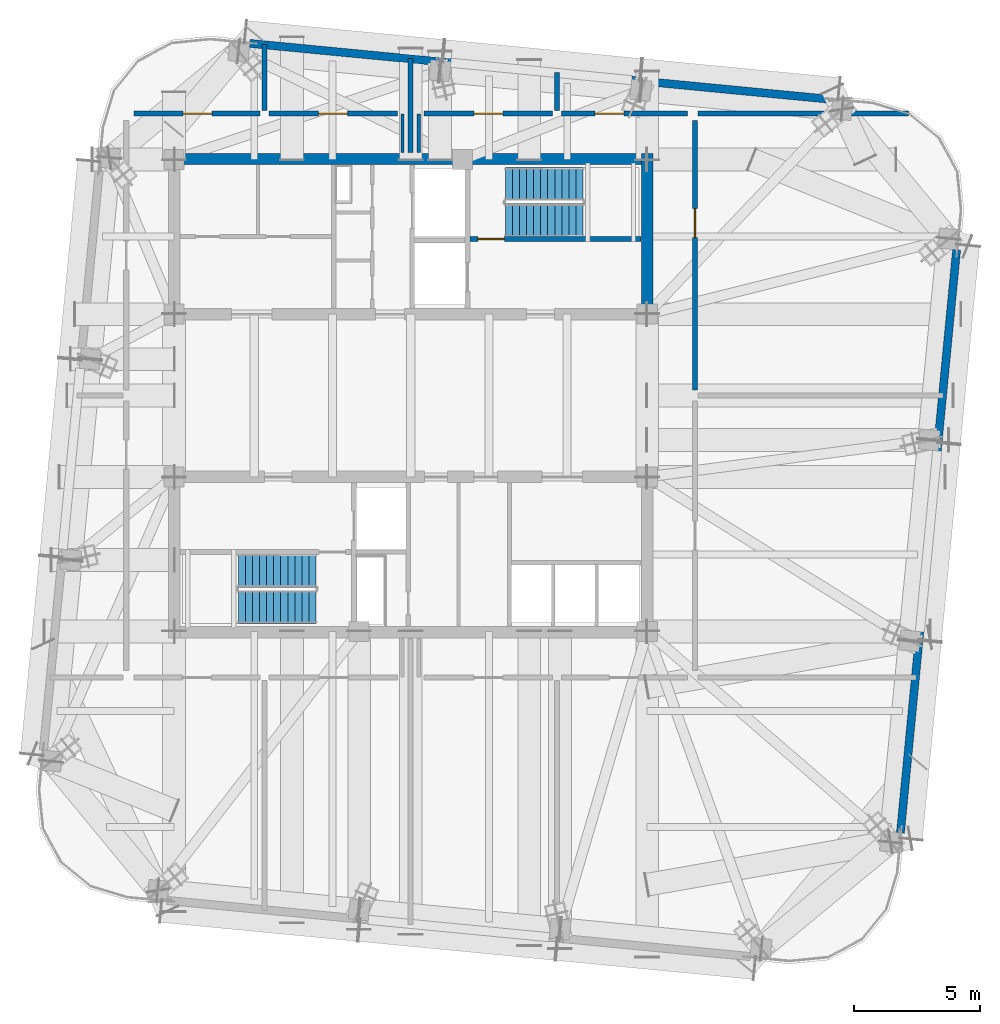
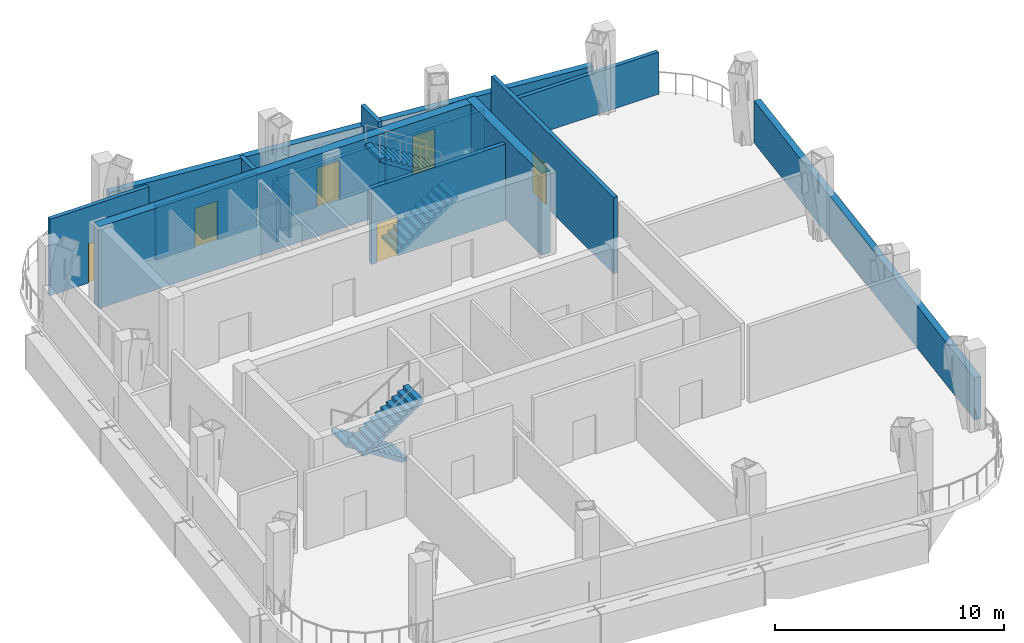
# One storey, part 6 of 9: 16 walls, 6 doors, 4 stair flights, 6 openings, 2 elements without a shape of their own.
"""IFC4 building model written with IfcOpenShell, lengths in metres."""

import ifcopenshell
import ifcopenshell.guid

model = None  # the IFC model being written
_history = None  # IfcOwnerHistory: only IFC2X3 demands one
_inside = {}  # id of a spatial element -> (the spatial element, [elements in it])
_under = {}  # id of a project, library or spatial element -> (it, [spatial elements below it])
_declared = {}  # id of a project -> (the project, [libraries it declares])
_typed = {}  # id of a type object -> (the type object, [elements of that type])
_made_of = {}  # id of a material, layer set ... -> (it, [elements and type objects made of it])


def new_model(schema):
    """Start an empty IFC model of exactly this schema.

    Asked for "IFC4X3", IfcOpenShell would pick the latest addendum, in which some entities
    have other attributes; the version numbers below select the first issue.
    IFC2X3 requires an IfcOwnerHistory on every rooted entity: one is made here for all.
    """
    global model, _history
    if schema == "IFC4X3":
        model = ifcopenshell.file(schema_version=(4, 3, 0, 0))
    else:
        model = ifcopenshell.file(schema=schema)
    _inside.clear()
    _under.clear()
    _declared.clear()
    _typed.clear()
    _made_of.clear()
    _history = None
    if model.schema == "IFC2X3":
        org = make("IfcOrganization", Name="unknown")
        user = make(
            "IfcPersonAndOrganization",
            ThePerson=make("IfcPerson", FamilyName="unknown"),
            TheOrganization=org,
        )
        app = make(
            "IfcApplication",
            ApplicationDeveloper=org,
            Version="unknown",
            ApplicationFullName="unknown",
            ApplicationIdentifier="unknown",
        )
        _history = make(
            "IfcOwnerHistory",
            OwningUser=user,
            OwningApplication=app,
            ChangeAction="ADDED",
            CreationDate=0,
        )
    return model


def make(cls, **values):
    """One entity of the class cls with the attributes given. An attribute that is None is left unset."""
    return model.create_entity(
        cls, **{name: value for name, value in values.items() if value is not None}
    )


def rooted(cls, **values):
    """An entity with a GlobalId (a new one), such as an element, a storey or a relation."""
    return make(cls, GlobalId=ifcopenshell.guid.new(), OwnerHistory=_history, **values)


def si_unit(unit_type, name, prefix=None):
    """IfcSIUnit, for example si_unit("LENGTHUNIT", "METRE", prefix="MILLI")."""
    return make("IfcSIUnit", UnitType=unit_type, Prefix=prefix, Name=name)


def assignment(units):
    """IfcUnitAssignment: the units of a project."""
    return None if units is None else make("IfcUnitAssignment", Units=units)


def point(xyz):
    """IfcCartesianPoint."""
    return None if xyz is None else make("IfcCartesianPoint", Coordinates=xyz)


def direction(xyz):
    """IfcDirection."""
    return None if xyz is None else make("IfcDirection", DirectionRatios=xyz)


def frame(location, z_axis=None, x_axis=None):
    """IfcAxis2Placement3D, a coordinate frame: its origin and axes. An axis left out is left unset."""
    return make(
        "IfcAxis2Placement3D",
        Location=point(location),
        Axis=direction(z_axis),
        RefDirection=direction(x_axis),
    )


def frame_2d(location, x_axis=None):
    """IfcAxis2Placement2D, a coordinate frame in the plane: its origin and x axis."""
    return make(
        "IfcAxis2Placement2D", Location=point(location), RefDirection=direction(x_axis)
    )


def origin():
    """The frame at (0, 0, 0) with its axes left unset."""
    return frame((0.0, 0.0, 0.0))


def place(relative_to, where):
    """IfcLocalPlacement: puts the frame where relative to a parent placement (None: the world)."""
    return make(
        "IfcLocalPlacement", PlacementRelTo=relative_to, RelativePlacement=where
    )


def context(
    kind, dimensions, precision=None, world=None, true_north=None, identifier=None
):
    """IfcGeometricRepresentationContext, for example the 3D "Model" context."""
    return make(
        "IfcGeometricRepresentationContext",
        ContextIdentifier=identifier,
        ContextType=kind,
        CoordinateSpaceDimension=dimensions,
        Precision=precision,
        WorldCoordinateSystem=world,
        TrueNorth=true_north,
    )


def subcontext(parent, identifier, kind, view, scale=None):
    """IfcGeometricRepresentationSubContext, for example "Body" below "Model"."""
    return make(
        "IfcGeometricRepresentationSubContext",
        ContextIdentifier=identifier,
        ContextType=kind,
        ParentContext=parent,
        TargetScale=scale,
        TargetView=view,
    )


def project(units=None, contexts=None):
    """IfcProject with its units and contexts."""
    return rooted(
        "IfcProject",
        Name="project",
        RepresentationContexts=contexts,
        UnitsInContext=assignment(units),
    )


def spatial(cls, under=None, at=None, **own):
    """A site, building, storey or space (cls), placed at a placement, below another one or the project."""
    s = rooted(cls, ObjectPlacement=at, **own)
    if under is not None:
        _under.setdefault(under.id(), (under, []))[1].append(s)
    return s


def polyline(points):
    """IfcPolyline through the points."""
    return make("IfcPolyline", Points=[point(p) for p in points])


def profile(cls, at=None, kind="AREA", **sizes):
    """A parametric profile (cls). Its sizes go by their IFC names, for example OverallWidth=200.0."""
    return make(cls, ProfileType=kind, Position=at, **sizes)


def rectangle(**sizes):
    """IfcRectangleProfileDef."""
    return profile("IfcRectangleProfileDef", **sizes)


def outline(outer, holes=None, kind="AREA"):
    """IfcArbitraryClosedProfileDef: a profile drawn as a closed curve; with holes, ...WithVoids."""
    if holes is None:
        return make("IfcArbitraryClosedProfileDef", ProfileType=kind, OuterCurve=outer)
    return make(
        "IfcArbitraryProfileDefWithVoids",
        ProfileType=kind,
        OuterCurve=outer,
        InnerCurves=holes,
    )


def extrude(swept, where, along, depth):
    """IfcExtrudedAreaSolid: the profile swept, set in the frame where, extruded along a direction by depth."""
    return make(
        "IfcExtrudedAreaSolid",
        SweptArea=swept,
        Position=where,
        ExtrudedDirection=direction(along),
        Depth=depth,
    )


def shape(context_of_items, identifier, shape_type, items):
    """IfcShapeRepresentation: the items that make up one representation, for example the "Body"."""
    return make(
        "IfcShapeRepresentation",
        ContextOfItems=context_of_items,
        RepresentationIdentifier=identifier,
        RepresentationType=shape_type,
        Items=items,
    )


def material(Name=None, Category=None):
    """IfcMaterial."""
    return make("IfcMaterial", Name=Name, Category=Category)


def layer(
    of_material, thickness, ventilated=None, Name=None, Category=None, Priority=None
):
    """IfcMaterialLayer: one layer of a wall or slab, of a material (None: an air gap)."""
    return make(
        "IfcMaterialLayer",
        Material=of_material,
        LayerThickness=thickness,
        IsVentilated=ventilated,
        Name=Name,
        Category=Category,
        Priority=Priority,
    )


def layer_set(layers, Name=None):
    """IfcMaterialLayerSet."""
    return make("IfcMaterialLayerSet", MaterialLayers=layers, LayerSetName=Name)


def made_of(thing, what):
    """Note that an element or type object is made of a material, layer set ...; save() writes the relation."""
    if what is not None:
        _made_of.setdefault(what.id(), (what, []))[1].append(thing)
    return thing


def type_object(cls, material=None, **own):
    """A type object (cls), such as IfcWallType, which elements share."""
    return made_of(rooted(cls, **own), material)


def element(
    cls,
    number,
    at=None,
    inside=None,
    cuts=None,
    type_object=None,
    material=None,
    context=None,
    identifier="Body",
    shape_type=None,
    held_by="IfcProductDefinitionShape",
    body=None,
    shapes=None,
    **own,
):
    """One element of the class cls, such as IfcWall. Its Tag is "e" and its number.

    at: its placement. inside: the storey or other place that contains it. cuts: it is an
    opening in that element (IfcRelVoidsElement). A single representation is given by context,
    identifier, shape_type and body (its items); several are given by shapes. held_by: the class
    of the entity that holds the representations. save() writes the other relations.
    """
    e = rooted(cls, Tag="e%d" % number, ObjectPlacement=at, **own)
    if body is not None:
        shapes = [shape(context, identifier, shape_type, body)]
    if shapes is not None:
        e.Representation = make(held_by, Representations=shapes)
    if inside is not None:
        _inside.setdefault(inside.id(), (inside, []))[1].append(e)
    if cuts is not None:
        rooted(
            "IfcRelVoidsElement", RelatingBuildingElement=cuts, RelatedOpeningElement=e
        )
    if type_object is not None:
        _typed.setdefault(type_object.id(), (type_object, []))[1].append(e)
    return made_of(e, material)


def fill(opening, filler):
    """IfcRelFillsElement: the door or window that sits in an opening."""
    return rooted(
        "IfcRelFillsElement",
        RelatingOpeningElement=opening,
        RelatedBuildingElement=filler,
    )


def aggregate(whole, parts):
    """IfcRelAggregates: a whole, such as a stair, and the parts it consists of."""
    return rooted("IfcRelAggregates", RelatingObject=whole, RelatedObjects=parts)


def save(model, path):
    """Write the relations noted so far, then the file.

    IfcRelAggregates (storeys below a building ...), IfcRelContainedInSpatialStructure (elements
    in a storey), IfcRelDefinesByType, IfcRelAssociatesMaterial and IfcRelDeclares: one each for
    every whole, place, type object, material and project.
    """
    for whole, parts in _under.values():
        aggregate(whole, parts)
    for where, things in _inside.values():
        rooted(
            "IfcRelContainedInSpatialStructure",
            RelatedElements=things,
            RelatingStructure=where,
        )
    for kind, things in _typed.values():
        rooted("IfcRelDefinesByType", RelatedObjects=things, RelatingType=kind)
    for what, things in _made_of.values():
        rooted("IfcRelAssociatesMaterial", RelatedObjects=things, RelatingMaterial=what)
    for by, libraries in _declared.values():
        rooted("IfcRelDeclares", RelatingContext=by, RelatedDefinitions=libraries)
    model.write(path)


model = new_model("IFC4")

# Units and contexts
model_context = context("Model", 3, precision=1e-05, world=origin(), true_north=direction((0.0, 1.0)))
body_context = subcontext(model_context, "Body", "Model", "MODEL_VIEW")
ifc_project = project(units=[si_unit("LENGTHUNIT", "METRE"), si_unit("AREAUNIT", "SQUARE_METRE"), si_unit("VOLUMEUNIT", "CUBIC_METRE"), si_unit("PLANEANGLEUNIT", "RADIAN"), si_unit("MASSUNIT", "GRAM", prefix="KILO")], contexts=[model_context])

# Site, building, storey
site_placement = place(None, origin())
site = spatial("IfcSite", under=ifc_project, at=site_placement, CompositionType="ELEMENT")
building_placement = place(site_placement, origin())
building = spatial("IfcBuilding", under=site, at=building_placement, Name="Qhalaya Broadcast Tower", CompositionType="ELEMENT")
storey_placement = place(building_placement, frame((0.0, 0.0, 284.89990234375)))
storey = spatial("IfcBuildingStorey", under=building, at=storey_placement, Name="L84", CompositionType="ELEMENT", Elevation=284.89990234375)

# Wall
ifc_material_1 = material(Name="Gypsum Acoustic Partition")
ifc_layer_1 = layer(ifc_material_1, 0.199951171875, Name="Gypsum Acoustic Partition")
ifc_layer_set_1 = layer_set([ifc_layer_1], Name="Gypsum Acoustic Partition")
wall_type_1 = type_object("IfcWallType", Name="Firefighting Lobby & Stair Enclosure Wall 200", PredefinedType="PARTITIONING", material=ifc_layer_set_1)
wall_1_placement = place(storey_placement, frame((0.0, 10.239990234375, 0.0), z_axis=(0.0, 0.0, 1.0), x_axis=(0.0, 1.0, 0.0)))
element("IfcWall", 1, at=wall_1_placement, inside=storey, type_object=wall_type_1, Name="L84 Partition Wall W-OBN", PredefinedType="PARTITIONING", context=body_context, shape_type="SweptSolid", body=[
    extrude(rectangle(XDim=3.719970703125, YDim=0.199951171875, at=frame_2d((1.85986328125, 0.0))), origin(), (0.0, 0.0, 1.0), 2.25),
])

# Wall, opening, door
wall_2_placement = place(storey_placement, frame((-5.97998046875, 11.77001953125, 0.0), z_axis=(0.0, 0.0, 1.0), x_axis=(-1.0, 0.0, 0.0)))
wall_2 = element("IfcWall", 2, at=wall_2_placement, inside=storey, type_object=wall_type_1, Name="L84 Partition Wall W-PCN0", PredefinedType="PARTITIONING", context=body_context, shape_type="SweptSolid", body=[
    extrude(rectangle(XDim=4.989990234375, YDim=0.199951171875, at=frame_2d((2.4951171875, 0.0))), origin(), (0.0, 0.0, 1.0), 4.070068359375),
])
opening_1_placement = place(wall_2_placement, frame((1.889892578125, 0.0, 0.0)))
opening_1 = element("IfcOpeningElement", 3, at=opening_1_placement, cuts=wall_2, Name="Opening D05", PredefinedType="OPENING", context=body_context, shape_type="SweptSolid", body=[
    extrude(rectangle(XDim=1.14990234375, YDim=2.10009765625, at=frame_2d((0.574951171875, 1.050048828125))), frame((0.0, 0.112060546875, 0.0), z_axis=(0.0, -1.0, 0.0), x_axis=(1.0, 0.0, 0.0)), (0.0, 0.0, 1.0), 0.223876953125),
])
ifc_material_2 = material(Name="Fire-Rated Steel Door", Category="steel")
door_type_1 = type_object("IfcDoorType", Name="Refuge & Plant Room Fire Door D05", OperationType="NOTDEFINED", PredefinedType="DOOR", material=ifc_material_2)
door_1_placement = place(opening_1_placement, origin())
door_1 = element("IfcDoor", 4, at=door_1_placement, inside=storey, type_object=door_type_1, Name="L84 Door D-PCN0", OperationType="SINGLE_SWING_LEFT", OverallHeight=2.10009765625, OverallWidth=1.14990234375, PredefinedType="DOOR", context=body_context, shape_type="SweptSolid", body=[
    extrude(rectangle(XDim=1.14990234375, YDim=2.10009765625, at=frame_2d((0.574951171875, 1.050048828125))), frame((0.0, 0.02490234375, 0.0), z_axis=(0.0, -1.0, 0.0), x_axis=(1.0, 0.0, 0.0)), (0.0, 0.0, 1.0), 0.050048828125),
])
fill(opening_1, door_1)

# Wall
wall_3_placement = place(storey_placement, frame((-5.800048828125, 11.889892578125, 0.0), z_axis=(0.0, 0.0, 1.0), x_axis=(0.0, 1.0, 0.0)))
element("IfcWall", 5, at=wall_3_placement, inside=storey, type_object=wall_type_1, Name="L84 Partition Wall W-PDN1", PredefinedType="PARTITIONING", context=body_context, shape_type="SweptSolid", body=[
    extrude(rectangle(XDim=2.62841796875, YDim=0.199951171875, at=frame_2d((1.314208984375, 0.0))), origin(), (0.0, 0.0, 1.0), 2.25),
])

# Wall, opening, door
wall_4_placement = place(storey_placement, frame((-0.530029296875, 11.77001953125, 0.0), z_axis=(0.0, 0.0, 1.0), x_axis=(-1.0, 0.0, 0.0)))
wall_4 = element("IfcWall", 6, at=wall_4_placement, inside=storey, type_object=wall_type_1, Name="L84 Partition Wall W-PCN1", PredefinedType="PARTITIONING", context=body_context, shape_type="SweptSolid", body=[
    extrude(rectangle(XDim=5.090087890625, YDim=0.199951171875, at=frame_2d((2.544921875, 0.0))), origin(), (0.0, 0.0, 1.0), 2.93212890625),
])
opening_2_placement = place(wall_4_placement, frame((1.969970703125, 0.0, 0.0)))
opening_2 = element("IfcOpeningElement", 7, at=opening_2_placement, cuts=wall_4, Name="Opening D05", PredefinedType="OPENING", context=body_context, shape_type="SweptSolid", body=[
    extrude(rectangle(XDim=1.14990234375, YDim=2.10009765625, at=frame_2d((0.574951171875, 1.050048828125))), frame((0.0, 0.112060546875, 0.0), z_axis=(0.0, -1.0, 0.0), x_axis=(1.0, 0.0, 0.0)), (0.0, 0.0, 1.0), 0.223876953125),
])
door_2_placement = place(opening_2_placement, origin())
door_2 = element("IfcDoor", 8, at=door_2_placement, inside=storey, type_object=door_type_1, Name="L84 Door D-PCN1", OperationType="SINGLE_SWING_LEFT", OverallHeight=2.10009765625, OverallWidth=1.14990234375, PredefinedType="DOOR", context=body_context, shape_type="SweptSolid", body=[
    extrude(rectangle(XDim=1.14990234375, YDim=2.10009765625, at=frame_2d((0.574951171875, 1.050048828125))), frame((0.0, 0.02490234375, 0.0), z_axis=(0.0, -1.0, 0.0), x_axis=(1.0, 0.0, 0.0)), (0.0, 0.0, 1.0), 0.050048828125),
])
fill(opening_2, door_2)

wall_5_placement = place(storey_placement, frame((5.6201171875, 11.77001953125, 0.0), z_axis=(0.0, 0.0, 1.0), x_axis=(-1.0, 0.0, 0.0)))
wall_5 = element("IfcWall", 9, at=wall_5_placement, inside=storey, type_object=wall_type_1, Name="L84 Partition Wall W-PCN2", PredefinedType="PARTITIONING", context=body_context, shape_type="SweptSolid", body=[
    extrude(rectangle(XDim=5.090087890625, YDim=0.199951171875, at=frame_2d((2.544921875, 0.0))), origin(), (0.0, 0.0, 1.0), 2.25),
])
opening_3_placement = place(wall_5_placement, frame((1.969970703125, 0.0, 0.0)))
opening_3 = element("IfcOpeningElement", 10, at=opening_3_placement, cuts=wall_5, Name="Opening D05", PredefinedType="OPENING", context=body_context, shape_type="SweptSolid", body=[
    extrude(rectangle(XDim=1.14990234375, YDim=2.10009765625, at=frame_2d((0.574951171875, 1.050048828125))), frame((0.0, 0.112060546875, 0.0), z_axis=(0.0, -1.0, 0.0), x_axis=(1.0, 0.0, 0.0)), (0.0, 0.0, 1.0), 0.223876953125),
])
door_3_placement = place(opening_3_placement, origin())
door_3 = element("IfcDoor", 11, at=door_3_placement, inside=storey, type_object=door_type_1, Name="L84 Door D-PCN2", OperationType="SINGLE_SWING_LEFT", OverallHeight=2.10009765625, OverallWidth=1.14990234375, PredefinedType="DOOR", context=body_context, shape_type="SweptSolid", body=[
    extrude(rectangle(XDim=1.14990234375, YDim=2.10009765625, at=frame_2d((0.574951171875, 1.050048828125))), frame((0.0, 0.02490234375, 0.0), z_axis=(0.0, -1.0, 0.0), x_axis=(1.0, 0.0, 0.0)), (0.0, 0.0, 1.0), 0.050048828125),
])
fill(opening_3, door_3)

# Wall
wall_6_placement = place(storey_placement, frame((5.800048828125, 11.889892578125, 0.0), z_axis=(0.0, 0.0, 1.0), x_axis=(0.0, 1.0, 0.0)))
element("IfcWall", 12, at=wall_6_placement, inside=storey, type_object=wall_type_1, Name="L84 Partition Wall W-PDN3", PredefinedType="PARTITIONING", context=body_context, shape_type="SweptSolid", body=[
    extrude(rectangle(XDim=1.511474609375, YDim=0.199951171875, at=frame_2d((0.755859375, 0.0))), origin(), (0.0, 0.0, 1.0), 3.2880859375),
])

# Wall, opening, door
wall_7_placement = place(storey_placement, frame((10.969970703125, 11.77001953125, 0.0), z_axis=(0.0, 0.0, 1.0), x_axis=(-1.0, 0.0, 0.0)))
wall_7 = element("IfcWall", 13, at=wall_7_placement, inside=storey, type_object=wall_type_1, Name="L84 Partition Wall W-PCN3", PredefinedType="PARTITIONING", context=body_context, shape_type="SweptSolid", body=[
    extrude(rectangle(XDim=4.989990234375, YDim=0.199951171875, at=frame_2d((2.4951171875, 0.0))), origin(), (0.0, 0.0, 1.0), 2.25),
])
opening_4_placement = place(wall_7_placement, frame((2.52001953125, 0.0, 0.0)))
opening_4 = element("IfcOpeningElement", 14, at=opening_4_placement, cuts=wall_7, Name="Opening D05", PredefinedType="OPENING", context=body_context, shape_type="SweptSolid", body=[
    extrude(rectangle(XDim=1.14990234375, YDim=2.10009765625, at=frame_2d((0.574951171875, 1.050048828125))), frame((0.0, 0.112060546875, 0.0), z_axis=(0.0, -1.0, 0.0), x_axis=(1.0, 0.0, 0.0)), (0.0, 0.0, 1.0), 0.223876953125),
])
door_4_placement = place(opening_4_placement, origin())
door_4 = element("IfcDoor", 15, at=door_4_placement, inside=storey, type_object=door_type_1, Name="L84 Door D-PCN3", OperationType="SINGLE_SWING_LEFT", OverallHeight=2.10009765625, OverallWidth=1.14990234375, PredefinedType="DOOR", context=body_context, shape_type="SweptSolid", body=[
    extrude(rectangle(XDim=1.14990234375, YDim=2.10009765625, at=frame_2d((0.574951171875, 1.050048828125))), frame((0.0, 0.02490234375, 0.0), z_axis=(0.0, -1.0, 0.0), x_axis=(1.0, 0.0, 0.0)), (0.0, 0.0, 1.0), 0.050048828125),
])
fill(opening_4, door_4)

# Wall
wall_8_placement = place(storey_placement, frame((11.389892578125, 11.77001953125, 0.0), z_axis=(0.0, 0.0, 1.0), x_axis=(1.0, 0.0, 0.0)))
element("IfcWall", 16, at=wall_8_placement, inside=storey, type_object=wall_type_1, Name="L84 Partition Wall W-PBNE", PredefinedType="PARTITIONING", context=body_context, shape_type="SweptSolid", body=[
    extrude(rectangle(XDim=8.334716796875, YDim=0.199951171875, at=frame_2d((4.16748046875, 0.0))), origin(), (0.0, 0.0, 1.0), 2.25),
])

# Wall, opening, door
wall_9_placement = place(storey_placement, frame((11.27001953125, 0.81005859375, 0.0), z_axis=(0.0, 0.0, 1.0), x_axis=(0.0, 1.0, 0.0)))
wall_9 = element("IfcWall", 17, at=wall_9_placement, inside=storey, type_object=wall_type_1, Name="L84 Partition Wall W-PCE2", PredefinedType="PARTITIONING", context=body_context, shape_type="SweptSolid", body=[
    extrude(rectangle(XDim=10.679931640625, YDim=0.199951171875, at=frame_2d((5.33984375, 0.0))), origin(), (0.0, 0.0, 1.0), 4.070068359375),
])
opening_5_placement = place(wall_9_placement, frame((6.047119140625, 0.0, 0.0)))
opening_5 = element("IfcOpeningElement", 18, at=opening_5_placement, cuts=wall_9, Name="Opening D05", PredefinedType="OPENING", context=body_context, shape_type="SweptSolid", body=[
    extrude(rectangle(XDim=1.14990234375, YDim=2.10009765625, at=frame_2d((0.574951171875, 1.050048828125))), frame((0.0, 0.112060546875, 0.0), z_axis=(0.0, -1.0, 0.0), x_axis=(1.0, 0.0, 0.0)), (0.0, 0.0, 1.0), 0.223876953125),
])
door_5_placement = place(opening_5_placement, origin())
door_5 = element("IfcDoor", 19, at=door_5_placement, inside=storey, type_object=door_type_1, Name="L84 Door D-PCE2", OperationType="SINGLE_SWING_LEFT", OverallHeight=2.10009765625, OverallWidth=1.14990234375, PredefinedType="DOOR", context=body_context, shape_type="SweptSolid", body=[
    extrude(rectangle(XDim=1.14990234375, YDim=2.10009765625, at=frame_2d((0.574951171875, 1.050048828125))), frame((0.0, 0.02490234375, 0.0), z_axis=(0.0, -1.0, 0.0), x_axis=(1.0, 0.0, 0.0)), (0.0, 0.0, 1.0), 0.050048828125),
])
fill(opening_5, door_5)

ifc_material_3 = material(Name="Concrete C50/60", Category="concrete")
ifc_layer_2 = layer(ifc_material_3, 0.199951171875, Name="Concrete C50/60")
ifc_layer_set_2 = layer_set([ifc_layer_2], Name="Concrete C50/60")
wall_type_2 = type_object("IfcWallType", Name="Load-Bearing Stair Shaft Wall 200", PredefinedType="SHEAR", material=ifc_layer_set_2)
wall_10_placement = place(storey_placement, frame((2.360107421875, 6.804931640625, 0.0), z_axis=(0.0, 0.0, 1.0), x_axis=(1.0, 0.0, 0.0)))
wall_10 = element("IfcWall", 20, at=wall_10_placement, inside=storey, type_object=wall_type_2, Name="L84 Stair Core Shear Wall NCW-ST1", PredefinedType="SHEAR", context=body_context, shape_type="SweptSolid", body=[
    extrude(rectangle(XDim=6.769775390625, YDim=0.199951171875, at=frame_2d((3.384765625, 0.0))), origin(), (0.0, 0.0, 1.0), 4.070068359375),
])
opening_6_placement = place(wall_10_placement, frame((0.300048828125, 0.0, 0.0)))
opening_6 = element("IfcOpeningElement", 21, at=opening_6_placement, cuts=wall_10, Name="Opening D03", PredefinedType="OPENING", context=body_context, shape_type="SweptSolid", body=[
    extrude(rectangle(XDim=1.050048828125, YDim=2.080078125, at=frame_2d((0.52490234375, 1.0400390625))), frame((0.0, 0.112060546875, 0.0), z_axis=(0.0, -1.0, 0.0), x_axis=(1.0, 0.0, 0.0)), (0.0, 0.0, 1.0), 0.223876953125),
])
door_type_2 = type_object("IfcDoorType", Name="Core Stair Protected Fire Door D03", OperationType="NOTDEFINED", PredefinedType="DOOR", material=ifc_material_2)
door_6_placement = place(opening_6_placement, origin())
door_6 = element("IfcDoor", 22, at=door_6_placement, inside=storey, type_object=door_type_2, Name="L84 Door D-NST1", OperationType="SINGLE_SWING_LEFT", OverallHeight=2.080078125, OverallWidth=1.050048828125, PredefinedType="DOOR", context=body_context, shape_type="SweptSolid", body=[
    extrude(rectangle(XDim=1.050048828125, YDim=2.080078125, at=frame_2d((0.52490234375, 1.0400390625))), frame((0.0, 0.02490234375, 0.0), z_axis=(0.0, -1.0, 0.0), x_axis=(1.0, 0.0, 0.0)), (0.0, 0.0, 1.0), 0.050048828125),
])
fill(opening_6, door_6)

# Walls
ifc_layer_3 = layer(ifc_material_1, 0.1201171875, Name="Gypsum Acoustic Partition")
ifc_layer_set_3 = layer_set([ifc_layer_3], Name="Gypsum Acoustic Partition")
wall_type_3 = type_object("IfcWallType", Name="Office, Booth & Sanitary Partition 120", PredefinedType="PARTITIONING", material=ifc_layer_set_3)
for number, where, z_axis, x_axis, name in (
    (23, (-0.320068359375, 10.239990234375, 0.0), (0.0, 0.0, 1.0), (0.0, 1.0, 0.0), "L84 Partition Wall W-OBNCW"),
    (24, (0.320068359375, 10.239990234375, 0.0), (0.0, 0.0, 1.0), (0.0, 1.0, 0.0), "L84 Partition Wall W-OBNCE"),
):
    element("IfcWall", number, at=place(storey_placement, frame(where, z_axis=z_axis, x_axis=x_axis)), inside=storey, type_object=wall_type_3, Name=name, PredefinedType="PARTITIONING", context=body_context, shape_type="SweptSolid", body=[
        extrude(rectangle(XDim=1.510009765625, YDim=0.1201171875, at=frame_2d((0.7548828125, 0.0))), origin(), (0.0, 0.0, 1.0), 2.25),
    ])
ifc_material_4 = material(Name="Precast Concrete C40/50", Category="concrete")
ifc_layer_4 = layer(ifc_material_4, 0.320068359375, Name="Precast Concrete C40/50")
ifc_layer_set_4 = layer_set([ifc_layer_4], Name="Precast Concrete C40/50")
wall_type_4 = type_object("IfcWallType", Name="Recessed Neck Insulated Exterior Wall 320", PredefinedType="SOLIDWALL", material=ifc_layer_set_4)
for number, where, z_axis, x_axis, name in (
    (25, (21.634521484375, 6.38330078125, 0.0), (0.0, 0.0, 1.0), (-0.095852823811, -0.995395517454, 0.0), "L84 Exterior Facade Wall E"),
    (26, (-6.38330078125, 14.554443359375, 0.0), (0.0, 0.0, 1.0), (0.995396520412, -0.095842407898, 0.0), "L84 Exterior Facade Wall N"),
):
    element("IfcWall", number, at=place(storey_placement, frame(where, z_axis=z_axis, x_axis=x_axis)), inside=storey, type_object=wall_type_4, Name=name, PredefinedType="SOLIDWALL", context=body_context, shape_type="SweptSolid", body=[
        extrude(rectangle(XDim=23.223876953125, YDim=0.320068359375, at=frame_2d((11.61181640625, 0.0))), origin(), (0.0, 0.0, 1.0), 2.25),
    ])
ifc_layer_5 = layer(ifc_material_3, 0.449951171875, Name="Concrete C50/60")
ifc_layer_set_5 = layer_set([ifc_layer_5], Name="Concrete C50/60")
wall_type_5 = type_object("IfcWallType", Name="Upper Split-Core Shear Wall 450", PredefinedType="SHEAR", material=ifc_layer_set_5)
wall_11_placement = place(storey_placement, frame((-9.60009765625, 9.97509765625, 0.0), z_axis=(0.0, 0.0, 1.0), x_axis=(1.0, 0.0, 0.0)))
element("IfcWall", 27, at=wall_11_placement, inside=storey, type_object=wall_type_5, Name="L84 Split-Core Shear Wall CW-NN", PredefinedType="SHEAR", context=body_context, shape_type="SweptSolid", body=[
    extrude(rectangle(XDim=19.2001953125, YDim=0.449951171875, at=frame_2d((9.60009765625, 0.0))), origin(), (0.0, 0.0, 1.0), 4.35009765625),
])
wall_12_placement = place(storey_placement, frame((9.375, 3.60009765625, 0.0), z_axis=(0.0, 0.0, 1.0), x_axis=(0.0, 1.0, 0.0)))
element("IfcWall", 28, at=wall_12_placement, inside=storey, type_object=wall_type_5, Name="L84 Split-Core Shear Wall CW-NE", PredefinedType="SHEAR", context=body_context, shape_type="SweptSolid", body=[
    extrude(rectangle(XDim=6.599853515625, YDim=0.449951171875, at=frame_2d((3.2998046875, 0.0))), origin(), (0.0, 0.0, 1.0), 4.35009765625),
])

# Stair, stair flights
ifc_material_5 = material(Name="Concrete C40/50", Category="concrete")
stair_type = type_object("IfcStairType", Name="Protected Dogleg Core Stair 4200", PredefinedType="TWO_STRAIGHT_RUN_STAIR", material=ifc_material_5)
stair_1_placement = place(storey_placement, origin())
stair_1 = element("IfcStair", 29, at=stair_1_placement, inside=storey, type_object=stair_type, Name="L84 North Core Exit Stair ST-1", PredefinedType="TWO_STRAIGHT_RUN_STAIR")
stair_flight_type = type_object("IfcStairFlightType", Name="Precast Concrete Stair Flight 4200", PredefinedType="STRAIGHT", material=ifc_material_4)
stair_flight_1_placement = place(storey_placement, frame((3.75, 7.5400390625, 0.0), z_axis=(0.0, 0.0, 1.0), x_axis=(1.0, 0.0, 0.0)))
stair_flight_1 = element("IfcStairFlight", 30, at=stair_flight_1_placement, type_object=stair_flight_type, Name="ST-1 flight 1", NumberOfRisers=12, NumberOfTreads=11, PredefinedType="STRAIGHT", RiserHeight=0.18125, TreadLength=0.28, context=body_context, shape_type="SweptSolid", body=[
    extrude(outline(polyline([(0.0, 0.0), (0.0, 0.18115234375), (0.280029296875, 0.18115234375), (0.280029296875, 0.362548828125), (0.56005859375, 0.362548828125), (0.56005859375, 0.543701171875), (0.840087890625, 0.543701171875), (0.840087890625, 0.72509765625), (1.1201171875, 0.72509765625), (1.1201171875, 0.90625), (1.39990234375, 0.90625), (1.39990234375, 1.08740234375), (1.679931640625, 1.08740234375), (1.679931640625, 1.268798828125), (1.9599609375, 1.268798828125), (1.9599609375, 1.449951171875), (2.239990234375, 1.449951171875), (2.239990234375, 1.63134765625), (2.52001953125, 1.63134765625), (2.52001953125, 1.8125), (2.800048828125, 1.8125), (2.800048828125, 1.99365234375), (3.080078125, 1.99365234375), (3.080078125, 2.175048828125), (3.080078125, 1.815185546875), (0.27587890625, 0.0), (0.0, 0.0)])), frame((0.0, 0.66015625, 0.0), z_axis=(0.0, -1.0, 0.0), x_axis=(1.0, 0.0, 0.0)), (0.0, 0.0, 1.0), 1.320068359375),
])
stair_flight_2_placement = place(storey_placement, frame((6.830078125, 8.97998046875, 2.175048828125), z_axis=(0.0, 0.0, 1.0), x_axis=(-1.0, 0.0, 0.0)))
stair_flight_2 = element("IfcStairFlight", 31, at=stair_flight_2_placement, type_object=stair_flight_type, Name="ST-1 flight 2", NumberOfRisers=12, NumberOfTreads=11, PredefinedType="STRAIGHT", RiserHeight=0.18125, TreadLength=0.28, context=body_context, shape_type="SweptSolid", body=[
    extrude(outline(polyline([(0.0, 0.0), (0.0, 0.18115234375), (0.280029296875, 0.18115234375), (0.280029296875, 0.362548828125), (0.56005859375, 0.362548828125), (0.56005859375, 0.543701171875), (0.840087890625, 0.543701171875), (0.840087890625, 0.72509765625), (1.1201171875, 0.72509765625), (1.1201171875, 0.90625), (1.39990234375, 0.90625), (1.39990234375, 1.08740234375), (1.679931640625, 1.08740234375), (1.679931640625, 1.268798828125), (1.9599609375, 1.268798828125), (1.9599609375, 1.449951171875), (2.239990234375, 1.449951171875), (2.239990234375, 1.63134765625), (2.52001953125, 1.63134765625), (2.52001953125, 1.8125), (2.800048828125, 1.8125), (2.800048828125, 1.99365234375), (3.080078125, 1.99365234375), (3.080078125, 2.175048828125), (3.080078125, 1.815185546875), (0.27587890625, 0.0), (0.0, 0.0)])), frame((0.0, 0.66015625, 0.0), z_axis=(0.0, -1.0, 0.0), x_axis=(1.0, 0.0, 0.0)), (0.0, 0.0, 1.0), 1.320068359375),
])
aggregate(stair_1, [stair_flight_1, stair_flight_2])

stair_2_placement = place(storey_placement, origin())
stair_2 = element("IfcStair", 32, at=stair_2_placement, inside=storey, type_object=stair_type, Name="L84 South Core Exit Stair ST-2", PredefinedType="TWO_STRAIGHT_RUN_STAIR")
stair_flight_3_placement = place(storey_placement, frame((-3.75, -6.340087890625, 0.0), z_axis=(0.0, 0.0, 1.0), x_axis=(-1.0, 0.0, 0.0)))
stair_flight_3 = element("IfcStairFlight", 33, at=stair_flight_3_placement, type_object=stair_flight_type, Name="ST-2 flight 1", NumberOfRisers=12, NumberOfTreads=11, PredefinedType="STRAIGHT", RiserHeight=0.18125, TreadLength=0.28, context=body_context, shape_type="SweptSolid", body=[
    extrude(outline(polyline([(0.0, 0.0), (0.0, 0.18115234375), (0.280029296875, 0.18115234375), (0.280029296875, 0.362548828125), (0.56005859375, 0.362548828125), (0.56005859375, 0.543701171875), (0.840087890625, 0.543701171875), (0.840087890625, 0.72509765625), (1.1201171875, 0.72509765625), (1.1201171875, 0.90625), (1.39990234375, 0.90625), (1.39990234375, 1.08740234375), (1.679931640625, 1.08740234375), (1.679931640625, 1.268798828125), (1.9599609375, 1.268798828125), (1.9599609375, 1.449951171875), (2.239990234375, 1.449951171875), (2.239990234375, 1.63134765625), (2.52001953125, 1.63134765625), (2.52001953125, 1.8125), (2.800048828125, 1.8125), (2.800048828125, 1.99365234375), (3.080078125, 1.99365234375), (3.080078125, 2.175048828125), (3.080078125, 1.815185546875), (0.27587890625, 0.0), (0.0, 0.0)])), frame((0.0, 0.66015625, 0.0), z_axis=(0.0, -1.0, 0.0), x_axis=(1.0, 0.0, 0.0)), (0.0, 0.0, 1.0), 1.320068359375),
])
stair_flight_4_placement = place(storey_placement, frame((-6.830078125, -7.780029296875, 2.175048828125), z_axis=(0.0, 0.0, 1.0), x_axis=(1.0, 0.0, 0.0)))
stair_flight_4 = element("IfcStairFlight", 34, at=stair_flight_4_placement, type_object=stair_flight_type, Name="ST-2 flight 2", NumberOfRisers=12, NumberOfTreads=11, PredefinedType="STRAIGHT", RiserHeight=0.18125, TreadLength=0.28, context=body_context, shape_type="SweptSolid", body=[
    extrude(outline(polyline([(0.0, 0.0), (0.0, 0.18115234375), (0.280029296875, 0.18115234375), (0.280029296875, 0.362548828125), (0.56005859375, 0.362548828125), (0.56005859375, 0.543701171875), (0.840087890625, 0.543701171875), (0.840087890625, 0.72509765625), (1.1201171875, 0.72509765625), (1.1201171875, 0.90625), (1.39990234375, 0.90625), (1.39990234375, 1.08740234375), (1.679931640625, 1.08740234375), (1.679931640625, 1.268798828125), (1.9599609375, 1.268798828125), (1.9599609375, 1.449951171875), (2.239990234375, 1.449951171875), (2.239990234375, 1.63134765625), (2.52001953125, 1.63134765625), (2.52001953125, 1.8125), (2.800048828125, 1.8125), (2.800048828125, 1.99365234375), (3.080078125, 1.99365234375), (3.080078125, 2.175048828125), (3.080078125, 1.815185546875), (0.27587890625, 0.0), (0.0, 0.0)])), frame((0.0, 0.66015625, 0.0), z_axis=(0.0, -1.0, 0.0), x_axis=(1.0, 0.0, 0.0)), (0.0, 0.0, 1.0), 1.320068359375),
])
aggregate(stair_2, [stair_flight_3, stair_flight_4])

save(model, "model.ifc")
